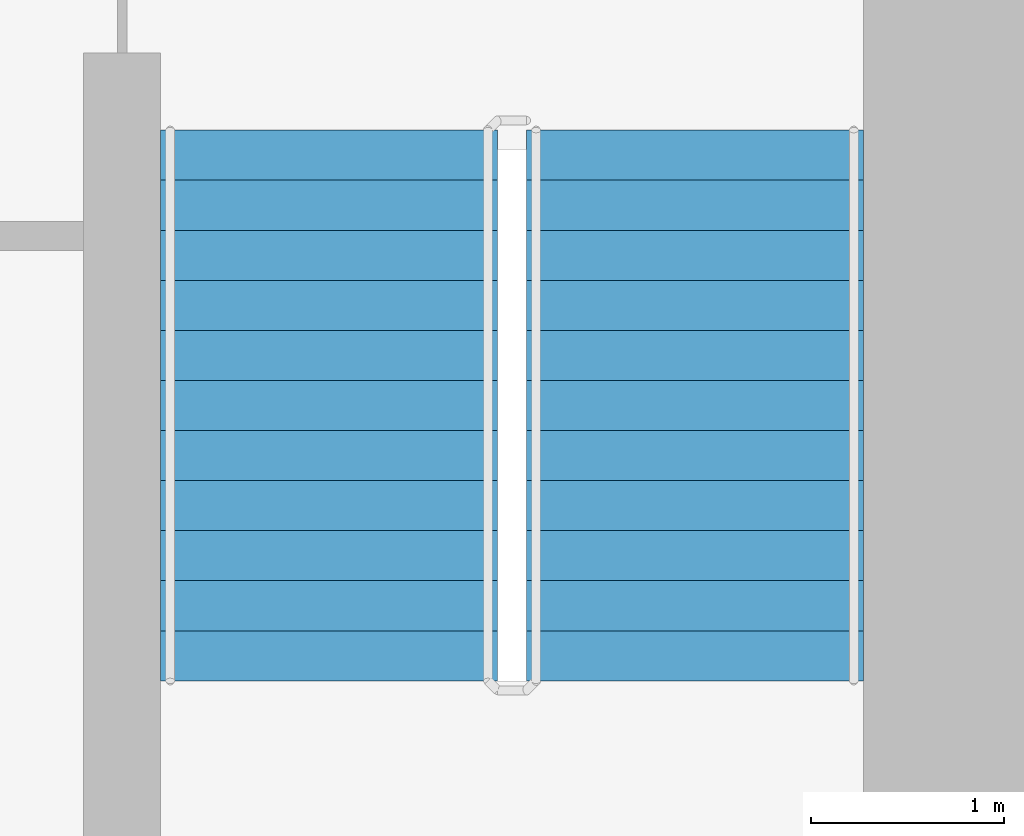
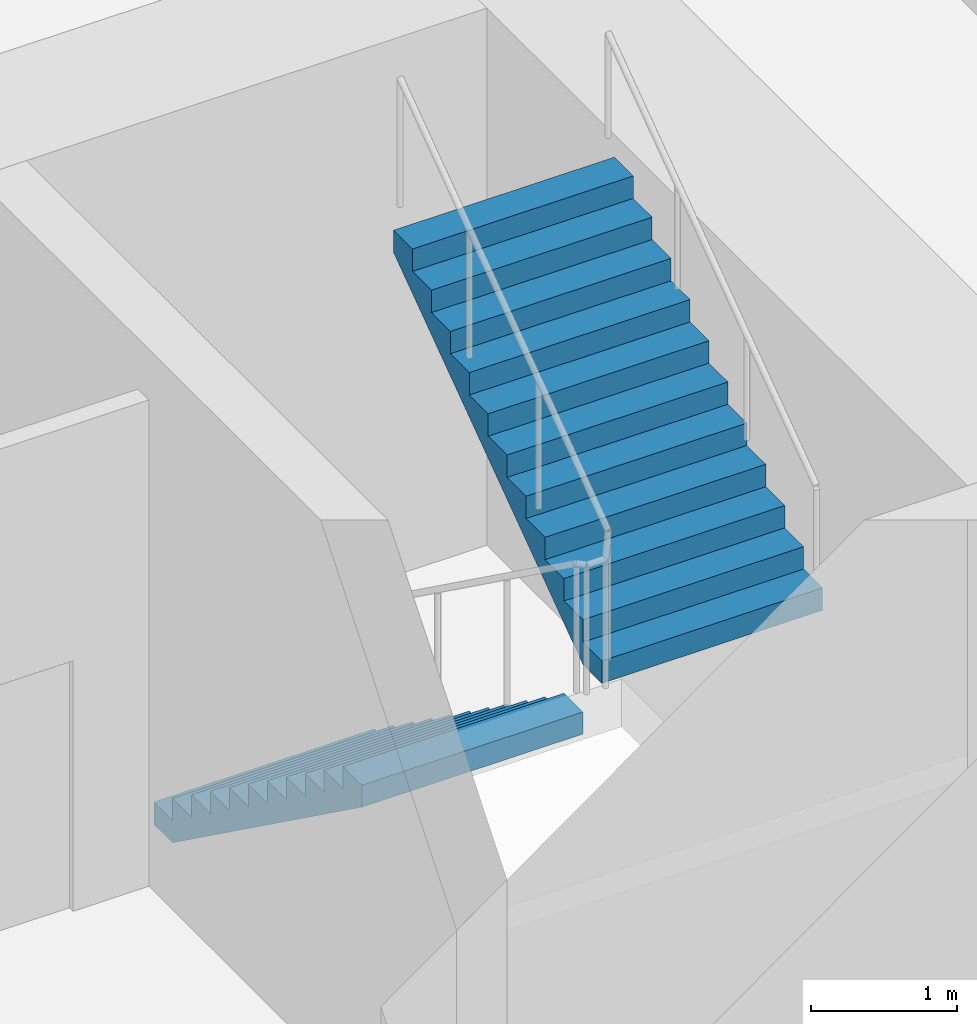
# One storey, part 38 of 49: 2 stair flights, 1 element without a shape of its own.
"""IFC4 building model written with IfcOpenShell, lengths in metres."""

from ifc_helpers import new_model, si_unit, direction, frame, origin, place, context, subcontext, project, spatial, faceted_brep, material, type_object, element, aggregate, save


model = new_model("IFC4")

# Units and contexts
model_context = context("Model", 3, precision=1e-05, world=origin(), true_north=direction((0.0, 1.0)))
body_context = subcontext(model_context, "Body", "Model", "MODEL_VIEW")
ifc_project = project(units=[si_unit("LENGTHUNIT", "METRE"), si_unit("AREAUNIT", "SQUARE_METRE"), si_unit("VOLUMEUNIT", "CUBIC_METRE"), si_unit("PLANEANGLEUNIT", "RADIAN"), si_unit("MASSUNIT", "GRAM", prefix="KILO")], contexts=[model_context])

# Site, building, storey
site_placement = place(None, origin())
site = spatial("IfcSite", under=ifc_project, at=site_placement, CompositionType="ELEMENT")
building_placement = place(site_placement, origin())
building = spatial("IfcBuilding", under=site, at=building_placement, Name="Ipe Terrace Towers", CompositionType="ELEMENT")
storey_placement = place(building_placement, frame((0.0, 0.0, 20.0)))
storey = spatial("IfcBuildingStorey", under=building, at=storey_placement, Name="L04", CompositionType="ELEMENT", Elevation=20.0)

# Stair, stair flights
ifc_material_1 = material(Name="Concrete C30/37", Category="concrete")
stair_type = type_object("IfcStairType", Name="Protected exit stair", PredefinedType="HALF_TURN_STAIR", material=ifc_material_1)
stair_placement = place(storey_placement, origin())
stair = element("IfcStair", 1, at=stair_placement, inside=storey, type_object=stair_type, Name="L04 Exit stair T2-C2", PredefinedType="HALF_TURN_STAIR")
ifc_material_2 = material(Name="Concrete C30/37", Category="concrete")
stair_flight_type = type_object("IfcStairFlightType", Name="Exit stair flight 1750", PredefinedType="STRAIGHT", material=ifc_material_2)
stair_flight_1_placement = place(storey_placement, frame((38.77490234375, -9.699951171875, 0.0), z_axis=(0.0, 0.0, 1.0), x_axis=(0.0, -1.0, 0.0)))
stair_flight_1 = element("IfcStairFlight", 2, at=stair_flight_1_placement, type_object=stair_flight_type, Name="T2-ST2 flight 1", NumberOfRisers=12, NumberOfTreads=11, PredefinedType="STRAIGHT", RiserHeight=0.1875, TreadLength=0.26, context=body_context, shape_type="Brep", body=[
    faceted_brep([(0.25634765625, -0.875, 0.0), (2.860107421875, -0.875, 1.877685546875), (2.860107421875, -0.875, 2.0625), (2.60009765625, -0.875, 2.0625), (2.60009765625, -0.875, 1.875), (2.340087890625, -0.875, 1.875), (2.340087890625, -0.875, 1.6875), (2.080078125, -0.875, 1.6875), (2.080078125, -0.875, 1.5), (1.820068359375, -0.875, 1.5), (1.820068359375, -0.875, 1.3125), (1.56005859375, -0.875, 1.3125), (1.56005859375, -0.875, 1.125), (1.300048828125, -0.875, 1.125), (1.300048828125, -0.875, 0.9375), (1.0400390625, -0.875, 0.9375), (1.0400390625, -0.875, 0.75), (0.780029296875, -0.875, 0.75), (0.780029296875, -0.875, 0.5625), (0.52001953125, -0.875, 0.5625), (0.52001953125, -0.875, 0.375), (0.260009765625, -0.875, 0.375), (0.260009765625, -0.875, 0.1875), (0.0, -0.875, 0.1875), (0.0, -0.875, 0.0), (0.0, 0.875, 0.0), (0.0, 0.875, 0.1875), (0.260009765625, 0.875, 0.1875), (0.260009765625, 0.875, 0.375), (0.52001953125, 0.875, 0.375), (0.52001953125, 0.875, 0.5625), (0.780029296875, 0.875, 0.5625), (0.780029296875, 0.875, 0.75), (1.0400390625, 0.875, 0.75), (1.0400390625, 0.875, 0.9375), (1.300048828125, 0.875, 0.9375), (1.300048828125, 0.875, 1.125), (1.56005859375, 0.875, 1.125), (1.56005859375, 0.875, 1.3125), (1.820068359375, 0.875, 1.3125), (1.820068359375, 0.875, 1.5), (2.080078125, 0.875, 1.5), (2.080078125, 0.875, 1.6875), (2.340087890625, 0.875, 1.6875), (2.340087890625, 0.875, 1.875), (2.60009765625, 0.875, 1.875), (2.60009765625, 0.875, 2.0625), (2.860107421875, 0.875, 2.0625), (2.860107421875, 0.875, 1.877685546875), (0.25634765625, 0.875, 0.0), (0.0, -0.300048828125, 0.1875), (0.0, -0.1201171875, 0.1875), (0.0, -0.06005859375, 0.1875), (0.0, -0.030029296875, 0.1875), (0.0, -0.010009765625, 0.1875), (0.0, 0.0, 0.1875), (0.0, 0.010009765625, 0.1875), (0.0, 0.030029296875, 0.1875), (0.0, 0.06005859375, 0.1875), (0.0, 0.1201171875, 0.1875), (0.0, 0.300048828125, 0.1875), (0.0, 0.300048828125, 0.0), (0.0, 0.1201171875, 0.0), (0.0, 0.06005859375, 0.0), (0.0, 0.030029296875, 0.0), (0.0, 0.010009765625, 0.0), (0.0, 0.0, 0.0), (0.0, -0.010009765625, 0.0), (0.0, -0.030029296875, 0.0), (0.0, -0.06005859375, 0.0), (0.0, -0.1201171875, 0.0), (0.0, -0.300048828125, 0.0), (0.260009765625, -0.300048828125, 0.1875), (0.260009765625, -0.1201171875, 0.1875), (0.260009765625, -0.06005859375, 0.1875), (0.260009765625, -0.030029296875, 0.1875), (0.260009765625, -0.010009765625, 0.1875), (0.260009765625, 0.0, 0.1875), (0.260009765625, 0.010009765625, 0.1875), (0.260009765625, 0.030029296875, 0.1875), (0.260009765625, 0.06005859375, 0.1875), (0.260009765625, 0.1201171875, 0.1875), (0.260009765625, 0.300048828125, 0.1875), (0.260009765625, -0.300048828125, 0.375), (0.260009765625, -0.1201171875, 0.375), (0.260009765625, -0.06005859375, 0.375), (0.260009765625, -0.030029296875, 0.375), (0.260009765625, -0.010009765625, 0.375), (0.260009765625, 0.0, 0.375), (0.260009765625, 0.010009765625, 0.375), (0.260009765625, 0.030029296875, 0.375), (0.260009765625, 0.06005859375, 0.375), (0.260009765625, 0.1201171875, 0.375), (0.260009765625, 0.300048828125, 0.375), (0.52001953125, -0.300048828125, 0.375), (0.52001953125, -0.1201171875, 0.375), (0.52001953125, -0.06005859375, 0.375), (0.52001953125, -0.030029296875, 0.375), (0.52001953125, -0.010009765625, 0.375), (0.52001953125, 0.0, 0.375), (0.52001953125, 0.010009765625, 0.375), (0.52001953125, 0.030029296875, 0.375), (0.52001953125, 0.06005859375, 0.375), (0.52001953125, 0.1201171875, 0.375), (0.52001953125, 0.300048828125, 0.375), (0.52001953125, -0.300048828125, 0.5625), (0.52001953125, -0.1201171875, 0.5625), (0.52001953125, -0.06005859375, 0.5625), (0.52001953125, -0.030029296875, 0.5625), (0.52001953125, -0.010009765625, 0.5625), (0.52001953125, 0.0, 0.5625), (0.52001953125, 0.010009765625, 0.5625), (0.52001953125, 0.030029296875, 0.5625), (0.52001953125, 0.06005859375, 0.5625), (0.52001953125, 0.1201171875, 0.5625), (0.52001953125, 0.300048828125, 0.5625), (0.780029296875, -0.300048828125, 0.5625), (0.780029296875, -0.1201171875, 0.5625), (0.780029296875, -0.06005859375, 0.5625), (0.780029296875, -0.030029296875, 0.5625), (0.780029296875, -0.010009765625, 0.5625), (0.780029296875, 0.0, 0.5625), (0.780029296875, 0.010009765625, 0.5625), (0.780029296875, 0.030029296875, 0.5625), (0.780029296875, 0.06005859375, 0.5625), (0.780029296875, 0.1201171875, 0.5625), (0.780029296875, 0.300048828125, 0.5625), (0.780029296875, -0.300048828125, 0.75), (0.780029296875, -0.1201171875, 0.75), (0.780029296875, -0.06005859375, 0.75), (0.780029296875, -0.030029296875, 0.75), (0.780029296875, -0.010009765625, 0.75), (0.780029296875, 0.0, 0.75), (0.780029296875, 0.010009765625, 0.75), (0.780029296875, 0.030029296875, 0.75), (0.780029296875, 0.06005859375, 0.75), (0.780029296875, 0.1201171875, 0.75), (0.780029296875, 0.300048828125, 0.75), (1.0400390625, -0.300048828125, 0.75), (1.0400390625, -0.1201171875, 0.75), (1.0400390625, -0.06005859375, 0.75), (1.0400390625, -0.030029296875, 0.75), (1.0400390625, -0.010009765625, 0.75), (1.0400390625, 0.0, 0.75), (1.0400390625, 0.010009765625, 0.75), (1.0400390625, 0.030029296875, 0.75), (1.0400390625, 0.06005859375, 0.75), (1.0400390625, 0.1201171875, 0.75), (1.0400390625, 0.300048828125, 0.75), (1.0400390625, -0.300048828125, 0.9375), (1.0400390625, -0.1201171875, 0.9375), (1.0400390625, -0.06005859375, 0.9375), (1.0400390625, -0.030029296875, 0.9375), (1.0400390625, -0.010009765625, 0.9375), (1.0400390625, 0.0, 0.9375), (1.0400390625, 0.010009765625, 0.9375), (1.0400390625, 0.030029296875, 0.9375), (1.0400390625, 0.06005859375, 0.9375), (1.0400390625, 0.1201171875, 0.9375), (1.0400390625, 0.300048828125, 0.9375), (1.300048828125, -0.300048828125, 0.9375), (1.300048828125, -0.1201171875, 0.9375), (1.300048828125, -0.06005859375, 0.9375), (1.300048828125, -0.030029296875, 0.9375), (1.300048828125, -0.010009765625, 0.9375), (1.300048828125, 0.0, 0.9375), (1.300048828125, 0.010009765625, 0.9375), (1.300048828125, 0.030029296875, 0.9375), (1.300048828125, 0.06005859375, 0.9375), (1.300048828125, 0.1201171875, 0.9375), (1.300048828125, 0.300048828125, 0.9375), (1.300048828125, -0.300048828125, 1.125), (1.300048828125, -0.1201171875, 1.125), (1.300048828125, -0.06005859375, 1.125), (1.300048828125, -0.030029296875, 1.125), (1.300048828125, -0.010009765625, 1.125), (1.300048828125, 0.0, 1.125), (1.300048828125, 0.010009765625, 1.125), (1.300048828125, 0.030029296875, 1.125), (1.300048828125, 0.06005859375, 1.125), (1.300048828125, 0.1201171875, 1.125), (1.300048828125, 0.300048828125, 1.125), (1.56005859375, -0.300048828125, 1.125), (1.56005859375, -0.1201171875, 1.125), (1.56005859375, -0.06005859375, 1.125), (1.56005859375, -0.030029296875, 1.125), (1.56005859375, -0.010009765625, 1.125), (1.56005859375, 0.0, 1.125), (1.56005859375, 0.010009765625, 1.125), (1.56005859375, 0.030029296875, 1.125), (1.56005859375, 0.06005859375, 1.125), (1.56005859375, 0.1201171875, 1.125), (1.56005859375, 0.300048828125, 1.125), (1.56005859375, -0.300048828125, 1.3125), (1.56005859375, -0.1201171875, 1.3125), (1.56005859375, -0.06005859375, 1.3125), (1.56005859375, -0.030029296875, 1.3125), (1.56005859375, -0.010009765625, 1.3125), (1.56005859375, 0.0, 1.3125), (1.56005859375, 0.010009765625, 1.3125), (1.56005859375, 0.030029296875, 1.3125), (1.56005859375, 0.06005859375, 1.3125), (1.56005859375, 0.1201171875, 1.3125), (1.56005859375, 0.300048828125, 1.3125), (1.820068359375, -0.300048828125, 1.3125), (1.820068359375, -0.1201171875, 1.3125), (1.820068359375, -0.06005859375, 1.3125), (1.820068359375, -0.030029296875, 1.3125), (1.820068359375, -0.010009765625, 1.3125), (1.820068359375, 0.0, 1.3125), (1.820068359375, 0.010009765625, 1.3125), (1.820068359375, 0.030029296875, 1.3125), (1.820068359375, 0.06005859375, 1.3125), (1.820068359375, 0.1201171875, 1.3125), (1.820068359375, 0.300048828125, 1.3125), (1.820068359375, -0.300048828125, 1.5), (1.820068359375, -0.1201171875, 1.5), (1.820068359375, -0.06005859375, 1.5), (1.820068359375, -0.030029296875, 1.5), (1.820068359375, -0.010009765625, 1.5), (1.820068359375, 0.0, 1.5), (1.820068359375, 0.010009765625, 1.5), (1.820068359375, 0.030029296875, 1.5), (1.820068359375, 0.06005859375, 1.5), (1.820068359375, 0.1201171875, 1.5), (1.820068359375, 0.300048828125, 1.5), (2.080078125, -0.300048828125, 1.5), (2.080078125, -0.1201171875, 1.5), (2.080078125, -0.06005859375, 1.5), (2.080078125, -0.030029296875, 1.5), (2.080078125, -0.010009765625, 1.5), (2.080078125, 0.0, 1.5), (2.080078125, 0.010009765625, 1.5), (2.080078125, 0.030029296875, 1.5), (2.080078125, 0.06005859375, 1.5), (2.080078125, 0.1201171875, 1.5), (2.080078125, 0.300048828125, 1.5), (2.080078125, -0.300048828125, 1.6875), (2.080078125, -0.1201171875, 1.6875), (2.080078125, -0.06005859375, 1.6875), (2.080078125, -0.030029296875, 1.6875), (2.080078125, -0.010009765625, 1.6875), (2.080078125, 0.0, 1.6875), (2.080078125, 0.010009765625, 1.6875), (2.080078125, 0.030029296875, 1.6875), (2.080078125, 0.06005859375, 1.6875), (2.080078125, 0.1201171875, 1.6875), (2.080078125, 0.300048828125, 1.6875), (2.340087890625, -0.300048828125, 1.6875), (2.340087890625, -0.1201171875, 1.6875), (2.340087890625, -0.06005859375, 1.6875), (2.340087890625, -0.030029296875, 1.6875), (2.340087890625, -0.010009765625, 1.6875), (2.340087890625, 0.0, 1.6875), (2.340087890625, 0.010009765625, 1.6875), (2.340087890625, 0.030029296875, 1.6875), (2.340087890625, 0.06005859375, 1.6875), (2.340087890625, 0.1201171875, 1.6875), (2.340087890625, 0.300048828125, 1.6875), (2.340087890625, -0.300048828125, 1.875), (2.340087890625, -0.1201171875, 1.875), (2.340087890625, -0.06005859375, 1.875), (2.340087890625, -0.030029296875, 1.875), (2.340087890625, -0.010009765625, 1.875), (2.340087890625, 0.0, 1.875), (2.340087890625, 0.010009765625, 1.875), (2.340087890625, 0.030029296875, 1.875), (2.340087890625, 0.06005859375, 1.875), (2.340087890625, 0.1201171875, 1.875), (2.340087890625, 0.300048828125, 1.875), (2.60009765625, -0.300048828125, 1.875), (2.60009765625, -0.1201171875, 1.875), (2.60009765625, -0.06005859375, 1.875), (2.60009765625, -0.030029296875, 1.875), (2.60009765625, -0.010009765625, 1.875), (2.60009765625, 0.0, 1.875), (2.60009765625, 0.010009765625, 1.875), (2.60009765625, 0.030029296875, 1.875), (2.60009765625, 0.06005859375, 1.875), (2.60009765625, 0.1201171875, 1.875), (2.60009765625, 0.300048828125, 1.875), (2.60009765625, -0.300048828125, 2.0625), (2.60009765625, -0.1201171875, 2.0625), (2.60009765625, -0.06005859375, 2.0625), (2.60009765625, -0.030029296875, 2.0625), (2.60009765625, -0.010009765625, 2.0625), (2.60009765625, 0.0, 2.0625), (2.60009765625, 0.010009765625, 2.0625), (2.60009765625, 0.030029296875, 2.0625), (2.60009765625, 0.06005859375, 2.0625), (2.60009765625, 0.1201171875, 2.0625), (2.60009765625, 0.300048828125, 2.0625), (2.860107421875, -0.300048828125, 2.0625), (2.860107421875, -0.1201171875, 2.0625), (2.860107421875, -0.06005859375, 2.0625), (2.860107421875, -0.030029296875, 2.0625), (2.860107421875, -0.010009765625, 2.0625), (2.860107421875, 0.0, 2.0625), (2.860107421875, 0.010009765625, 2.0625), (2.860107421875, 0.030029296875, 2.0625), (2.860107421875, 0.06005859375, 2.0625), (2.860107421875, 0.1201171875, 2.0625), (2.860107421875, 0.300048828125, 2.0625), (2.860107421875, -0.300048828125, 1.877685546875), (2.860107421875, -0.1201171875, 1.877685546875), (2.860107421875, -0.06005859375, 1.877685546875), (2.860107421875, -0.030029296875, 1.877685546875), (2.860107421875, -0.010009765625, 1.877685546875), (2.860107421875, 0.0, 1.877685546875), (2.860107421875, 0.010009765625, 1.877685546875), (2.860107421875, 0.030029296875, 1.877685546875), (2.860107421875, 0.06005859375, 1.877685546875), (2.860107421875, 0.1201171875, 1.877685546875), (2.860107421875, 0.300048828125, 1.877685546875), (0.25634765625, -0.300048828125, 0.0), (0.25634765625, -0.1201171875, 0.0), (0.25634765625, -0.06005859375, 0.0), (0.25634765625, -0.030029296875, 0.0), (0.25634765625, -0.010009765625, 0.0), (0.25634765625, 0.0, 0.0), (0.25634765625, 0.010009765625, 0.0), (0.25634765625, 0.030029296875, 0.0), (0.25634765625, 0.06005859375, 0.0), (0.25634765625, 0.1201171875, 0.0), (0.25634765625, 0.300048828125, 0.0)], [[[0, 1, 2, 3, 4, 5, 6, 7, 8, 9, 10, 11, 12, 13, 14, 15, 16, 17, 18, 19, 20, 21, 22, 23, 24]], [[25, 26, 27, 28, 29, 30, 31, 32, 33, 34, 35, 36, 37, 38, 39, 40, 41, 42, 43, 44, 45, 46, 47, 48, 49]], [[23, 50, 51, 52, 53, 54, 55, 56, 57, 58, 59, 60, 26, 25, 61, 62, 63, 64, 65, 66, 67, 68, 69, 70, 71, 24]], [[22, 72, 73, 74, 75, 76, 77, 78, 79, 80, 81, 82, 27, 26, 60, 59, 58, 57, 56, 55, 54, 53, 52, 51, 50, 23]], [[21, 83, 84, 85, 86, 87, 88, 89, 90, 91, 92, 93, 28, 27, 82, 81, 80, 79, 78, 77, 76, 75, 74, 73, 72, 22]], [[20, 94, 95, 96, 97, 98, 99, 100, 101, 102, 103, 104, 29, 28, 93, 92, 91, 90, 89, 88, 87, 86, 85, 84, 83, 21]], [[19, 105, 106, 107, 108, 109, 110, 111, 112, 113, 114, 115, 30, 29, 104, 103, 102, 101, 100, 99, 98, 97, 96, 95, 94, 20]], [[18, 116, 117, 118, 119, 120, 121, 122, 123, 124, 125, 126, 31, 30, 115, 114, 113, 112, 111, 110, 109, 108, 107, 106, 105, 19]], [[17, 127, 128, 129, 130, 131, 132, 133, 134, 135, 136, 137, 32, 31, 126, 125, 124, 123, 122, 121, 120, 119, 118, 117, 116, 18]], [[16, 138, 139, 140, 141, 142, 143, 144, 145, 146, 147, 148, 33, 32, 137, 136, 135, 134, 133, 132, 131, 130, 129, 128, 127, 17]], [[15, 149, 150, 151, 152, 153, 154, 155, 156, 157, 158, 159, 34, 33, 148, 147, 146, 145, 144, 143, 142, 141, 140, 139, 138, 16]], [[14, 160, 161, 162, 163, 164, 165, 166, 167, 168, 169, 170, 35, 34, 159, 158, 157, 156, 155, 154, 153, 152, 151, 150, 149, 15]], [[13, 171, 172, 173, 174, 175, 176, 177, 178, 179, 180, 181, 36, 35, 170, 169, 168, 167, 166, 165, 164, 163, 162, 161, 160, 14]], [[12, 182, 183, 184, 185, 186, 187, 188, 189, 190, 191, 192, 37, 36, 181, 180, 179, 178, 177, 176, 175, 174, 173, 172, 171, 13]], [[11, 193, 194, 195, 196, 197, 198, 199, 200, 201, 202, 203, 38, 37, 192, 191, 190, 189, 188, 187, 186, 185, 184, 183, 182, 12]], [[10, 204, 205, 206, 207, 208, 209, 210, 211, 212, 213, 214, 39, 38, 203, 202, 201, 200, 199, 198, 197, 196, 195, 194, 193, 11]], [[9, 215, 216, 217, 218, 219, 220, 221, 222, 223, 224, 225, 40, 39, 214, 213, 212, 211, 210, 209, 208, 207, 206, 205, 204, 10]], [[8, 226, 227, 228, 229, 230, 231, 232, 233, 234, 235, 236, 41, 40, 225, 224, 223, 222, 221, 220, 219, 218, 217, 216, 215, 9]], [[7, 237, 238, 239, 240, 241, 242, 243, 244, 245, 246, 247, 42, 41, 236, 235, 234, 233, 232, 231, 230, 229, 228, 227, 226, 8]], [[6, 248, 249, 250, 251, 252, 253, 254, 255, 256, 257, 258, 43, 42, 247, 246, 245, 244, 243, 242, 241, 240, 239, 238, 237, 7]], [[5, 259, 260, 261, 262, 263, 264, 265, 266, 267, 268, 269, 44, 43, 258, 257, 256, 255, 254, 253, 252, 251, 250, 249, 248, 6]], [[4, 270, 271, 272, 273, 274, 275, 276, 277, 278, 279, 280, 45, 44, 269, 268, 267, 266, 265, 264, 263, 262, 261, 260, 259, 5]], [[3, 281, 282, 283, 284, 285, 286, 287, 288, 289, 290, 291, 46, 45, 280, 279, 278, 277, 276, 275, 274, 273, 272, 271, 270, 4]], [[2, 292, 293, 294, 295, 296, 297, 298, 299, 300, 301, 302, 47, 46, 291, 290, 289, 288, 287, 286, 285, 284, 283, 282, 281, 3]], [[1, 303, 304, 305, 306, 307, 308, 309, 310, 311, 312, 313, 48, 47, 302, 301, 300, 299, 298, 297, 296, 295, 294, 293, 292, 2]], [[0, 314, 315, 316, 317, 318, 319, 320, 321, 322, 323, 324, 49, 48, 313, 312, 311, 310, 309, 308, 307, 306, 305, 304, 303, 1]], [[24, 71, 70, 69, 68, 67, 66, 65, 64, 63, 62, 61, 25, 49, 324, 323, 322, 321, 320, 319, 318, 317, 316, 315, 314, 0]]]),
])
stair_flight_2_placement = place(storey_placement, frame((40.675048828125, -12.56005859375, 2.25), z_axis=(0.0, 0.0, 1.0), x_axis=(0.0, 1.0, 0.0)))
stair_flight_2 = element("IfcStairFlight", 3, at=stair_flight_2_placement, type_object=stair_flight_type, Name="T2-ST2 flight 2", NumberOfRisers=12, NumberOfTreads=11, PredefinedType="STRAIGHT", RiserHeight=0.1875, TreadLength=0.26, context=body_context, shape_type="Brep", body=[
    faceted_brep([(0.25634765625, -0.875, 0.0), (2.860107421875, -0.875, 1.877685546875), (2.860107421875, -0.875, 2.0625), (2.60009765625, -0.875, 2.0625), (2.60009765625, -0.875, 1.875), (2.340087890625, -0.875, 1.875), (2.340087890625, -0.875, 1.6875), (2.080078125, -0.875, 1.6875), (2.080078125, -0.875, 1.5), (1.820068359375, -0.875, 1.5), (1.820068359375, -0.875, 1.3125), (1.56005859375, -0.875, 1.3125), (1.56005859375, -0.875, 1.125), (1.300048828125, -0.875, 1.125), (1.300048828125, -0.875, 0.9375), (1.0400390625, -0.875, 0.9375), (1.0400390625, -0.875, 0.75), (0.780029296875, -0.875, 0.75), (0.780029296875, -0.875, 0.5625), (0.52001953125, -0.875, 0.5625), (0.52001953125, -0.875, 0.375), (0.260009765625, -0.875, 0.375), (0.260009765625, -0.875, 0.1875), (0.0, -0.875, 0.1875), (0.0, -0.875, 0.0), (0.0, 0.875, 0.0), (0.0, 0.875, 0.1875), (0.260009765625, 0.875, 0.1875), (0.260009765625, 0.875, 0.375), (0.52001953125, 0.875, 0.375), (0.52001953125, 0.875, 0.5625), (0.780029296875, 0.875, 0.5625), (0.780029296875, 0.875, 0.75), (1.0400390625, 0.875, 0.75), (1.0400390625, 0.875, 0.9375), (1.300048828125, 0.875, 0.9375), (1.300048828125, 0.875, 1.125), (1.56005859375, 0.875, 1.125), (1.56005859375, 0.875, 1.3125), (1.820068359375, 0.875, 1.3125), (1.820068359375, 0.875, 1.5), (2.080078125, 0.875, 1.5), (2.080078125, 0.875, 1.6875), (2.340087890625, 0.875, 1.6875), (2.340087890625, 0.875, 1.875), (2.60009765625, 0.875, 1.875), (2.60009765625, 0.875, 2.0625), (2.860107421875, 0.875, 2.0625), (2.860107421875, 0.875, 1.877685546875), (0.25634765625, 0.875, 0.0), (0.0, -0.300048828125, 0.1875), (0.0, -0.1201171875, 0.1875), (0.0, -0.06005859375, 0.1875), (0.0, -0.030029296875, 0.1875), (0.0, -0.010009765625, 0.1875), (0.0, 0.0, 0.1875), (0.0, 0.010009765625, 0.1875), (0.0, 0.030029296875, 0.1875), (0.0, 0.06005859375, 0.1875), (0.0, 0.1201171875, 0.1875), (0.0, 0.300048828125, 0.1875), (0.0, 0.300048828125, 0.0), (0.0, 0.1201171875, 0.0), (0.0, 0.06005859375, 0.0), (0.0, 0.030029296875, 0.0), (0.0, 0.010009765625, 0.0), (0.0, 0.0, 0.0), (0.0, -0.010009765625, 0.0), (0.0, -0.030029296875, 0.0), (0.0, -0.06005859375, 0.0), (0.0, -0.1201171875, 0.0), (0.0, -0.300048828125, 0.0), (0.260009765625, -0.300048828125, 0.1875), (0.260009765625, -0.1201171875, 0.1875), (0.260009765625, -0.06005859375, 0.1875), (0.260009765625, -0.030029296875, 0.1875), (0.260009765625, -0.010009765625, 0.1875), (0.260009765625, 0.0, 0.1875), (0.260009765625, 0.010009765625, 0.1875), (0.260009765625, 0.030029296875, 0.1875), (0.260009765625, 0.06005859375, 0.1875), (0.260009765625, 0.1201171875, 0.1875), (0.260009765625, 0.300048828125, 0.1875), (0.260009765625, -0.300048828125, 0.375), (0.260009765625, -0.1201171875, 0.375), (0.260009765625, -0.06005859375, 0.375), (0.260009765625, -0.030029296875, 0.375), (0.260009765625, -0.010009765625, 0.375), (0.260009765625, 0.0, 0.375), (0.260009765625, 0.010009765625, 0.375), (0.260009765625, 0.030029296875, 0.375), (0.260009765625, 0.06005859375, 0.375), (0.260009765625, 0.1201171875, 0.375), (0.260009765625, 0.300048828125, 0.375), (0.52001953125, -0.300048828125, 0.375), (0.52001953125, -0.1201171875, 0.375), (0.52001953125, -0.06005859375, 0.375), (0.52001953125, -0.030029296875, 0.375), (0.52001953125, -0.010009765625, 0.375), (0.52001953125, 0.0, 0.375), (0.52001953125, 0.010009765625, 0.375), (0.52001953125, 0.030029296875, 0.375), (0.52001953125, 0.06005859375, 0.375), (0.52001953125, 0.1201171875, 0.375), (0.52001953125, 0.300048828125, 0.375), (0.52001953125, -0.300048828125, 0.5625), (0.52001953125, -0.1201171875, 0.5625), (0.52001953125, -0.06005859375, 0.5625), (0.52001953125, -0.030029296875, 0.5625), (0.52001953125, -0.010009765625, 0.5625), (0.52001953125, 0.0, 0.5625), (0.52001953125, 0.010009765625, 0.5625), (0.52001953125, 0.030029296875, 0.5625), (0.52001953125, 0.06005859375, 0.5625), (0.52001953125, 0.1201171875, 0.5625), (0.52001953125, 0.300048828125, 0.5625), (0.780029296875, -0.300048828125, 0.5625), (0.780029296875, -0.1201171875, 0.5625), (0.780029296875, -0.06005859375, 0.5625), (0.780029296875, -0.030029296875, 0.5625), (0.780029296875, -0.010009765625, 0.5625), (0.780029296875, 0.0, 0.5625), (0.780029296875, 0.010009765625, 0.5625), (0.780029296875, 0.030029296875, 0.5625), (0.780029296875, 0.06005859375, 0.5625), (0.780029296875, 0.1201171875, 0.5625), (0.780029296875, 0.300048828125, 0.5625), (0.780029296875, -0.300048828125, 0.75), (0.780029296875, -0.1201171875, 0.75), (0.780029296875, -0.06005859375, 0.75), (0.780029296875, -0.030029296875, 0.75), (0.780029296875, -0.010009765625, 0.75), (0.780029296875, 0.0, 0.75), (0.780029296875, 0.010009765625, 0.75), (0.780029296875, 0.030029296875, 0.75), (0.780029296875, 0.06005859375, 0.75), (0.780029296875, 0.1201171875, 0.75), (0.780029296875, 0.300048828125, 0.75), (1.0400390625, -0.300048828125, 0.75), (1.0400390625, -0.1201171875, 0.75), (1.0400390625, -0.06005859375, 0.75), (1.0400390625, -0.030029296875, 0.75), (1.0400390625, -0.010009765625, 0.75), (1.0400390625, 0.0, 0.75), (1.0400390625, 0.010009765625, 0.75), (1.0400390625, 0.030029296875, 0.75), (1.0400390625, 0.06005859375, 0.75), (1.0400390625, 0.1201171875, 0.75), (1.0400390625, 0.300048828125, 0.75), (1.0400390625, -0.300048828125, 0.9375), (1.0400390625, -0.1201171875, 0.9375), (1.0400390625, -0.06005859375, 0.9375), (1.0400390625, -0.030029296875, 0.9375), (1.0400390625, -0.010009765625, 0.9375), (1.0400390625, 0.0, 0.9375), (1.0400390625, 0.010009765625, 0.9375), (1.0400390625, 0.030029296875, 0.9375), (1.0400390625, 0.06005859375, 0.9375), (1.0400390625, 0.1201171875, 0.9375), (1.0400390625, 0.300048828125, 0.9375), (1.300048828125, -0.300048828125, 0.9375), (1.300048828125, -0.1201171875, 0.9375), (1.300048828125, -0.06005859375, 0.9375), (1.300048828125, -0.030029296875, 0.9375), (1.300048828125, -0.010009765625, 0.9375), (1.300048828125, 0.0, 0.9375), (1.300048828125, 0.010009765625, 0.9375), (1.300048828125, 0.030029296875, 0.9375), (1.300048828125, 0.06005859375, 0.9375), (1.300048828125, 0.1201171875, 0.9375), (1.300048828125, 0.300048828125, 0.9375), (1.300048828125, -0.300048828125, 1.125), (1.300048828125, -0.1201171875, 1.125), (1.300048828125, -0.06005859375, 1.125), (1.300048828125, -0.030029296875, 1.125), (1.300048828125, -0.010009765625, 1.125), (1.300048828125, 0.0, 1.125), (1.300048828125, 0.010009765625, 1.125), (1.300048828125, 0.030029296875, 1.125), (1.300048828125, 0.06005859375, 1.125), (1.300048828125, 0.1201171875, 1.125), (1.300048828125, 0.300048828125, 1.125), (1.56005859375, -0.300048828125, 1.125), (1.56005859375, -0.1201171875, 1.125), (1.56005859375, -0.06005859375, 1.125), (1.56005859375, -0.030029296875, 1.125), (1.56005859375, -0.010009765625, 1.125), (1.56005859375, 0.0, 1.125), (1.56005859375, 0.010009765625, 1.125), (1.56005859375, 0.030029296875, 1.125), (1.56005859375, 0.06005859375, 1.125), (1.56005859375, 0.1201171875, 1.125), (1.56005859375, 0.300048828125, 1.125), (1.56005859375, -0.300048828125, 1.3125), (1.56005859375, -0.1201171875, 1.3125), (1.56005859375, -0.06005859375, 1.3125), (1.56005859375, -0.030029296875, 1.3125), (1.56005859375, -0.010009765625, 1.3125), (1.56005859375, 0.0, 1.3125), (1.56005859375, 0.010009765625, 1.3125), (1.56005859375, 0.030029296875, 1.3125), (1.56005859375, 0.06005859375, 1.3125), (1.56005859375, 0.1201171875, 1.3125), (1.56005859375, 0.300048828125, 1.3125), (1.820068359375, -0.300048828125, 1.3125), (1.820068359375, -0.1201171875, 1.3125), (1.820068359375, -0.06005859375, 1.3125), (1.820068359375, -0.030029296875, 1.3125), (1.820068359375, -0.010009765625, 1.3125), (1.820068359375, 0.0, 1.3125), (1.820068359375, 0.010009765625, 1.3125), (1.820068359375, 0.030029296875, 1.3125), (1.820068359375, 0.06005859375, 1.3125), (1.820068359375, 0.1201171875, 1.3125), (1.820068359375, 0.300048828125, 1.3125), (1.820068359375, -0.300048828125, 1.5), (1.820068359375, -0.1201171875, 1.5), (1.820068359375, -0.06005859375, 1.5), (1.820068359375, -0.030029296875, 1.5), (1.820068359375, -0.010009765625, 1.5), (1.820068359375, 0.0, 1.5), (1.820068359375, 0.010009765625, 1.5), (1.820068359375, 0.030029296875, 1.5), (1.820068359375, 0.06005859375, 1.5), (1.820068359375, 0.1201171875, 1.5), (1.820068359375, 0.300048828125, 1.5), (2.080078125, -0.300048828125, 1.5), (2.080078125, -0.1201171875, 1.5), (2.080078125, -0.06005859375, 1.5), (2.080078125, -0.030029296875, 1.5), (2.080078125, -0.010009765625, 1.5), (2.080078125, 0.0, 1.5), (2.080078125, 0.010009765625, 1.5), (2.080078125, 0.030029296875, 1.5), (2.080078125, 0.06005859375, 1.5), (2.080078125, 0.1201171875, 1.5), (2.080078125, 0.300048828125, 1.5), (2.080078125, -0.300048828125, 1.6875), (2.080078125, -0.1201171875, 1.6875), (2.080078125, -0.06005859375, 1.6875), (2.080078125, -0.030029296875, 1.6875), (2.080078125, -0.010009765625, 1.6875), (2.080078125, 0.0, 1.6875), (2.080078125, 0.010009765625, 1.6875), (2.080078125, 0.030029296875, 1.6875), (2.080078125, 0.06005859375, 1.6875), (2.080078125, 0.1201171875, 1.6875), (2.080078125, 0.300048828125, 1.6875), (2.340087890625, -0.300048828125, 1.6875), (2.340087890625, -0.1201171875, 1.6875), (2.340087890625, -0.06005859375, 1.6875), (2.340087890625, -0.030029296875, 1.6875), (2.340087890625, -0.010009765625, 1.6875), (2.340087890625, 0.0, 1.6875), (2.340087890625, 0.010009765625, 1.6875), (2.340087890625, 0.030029296875, 1.6875), (2.340087890625, 0.06005859375, 1.6875), (2.340087890625, 0.1201171875, 1.6875), (2.340087890625, 0.300048828125, 1.6875), (2.340087890625, -0.300048828125, 1.875), (2.340087890625, -0.1201171875, 1.875), (2.340087890625, -0.06005859375, 1.875), (2.340087890625, -0.030029296875, 1.875), (2.340087890625, -0.010009765625, 1.875), (2.340087890625, 0.0, 1.875), (2.340087890625, 0.010009765625, 1.875), (2.340087890625, 0.030029296875, 1.875), (2.340087890625, 0.06005859375, 1.875), (2.340087890625, 0.1201171875, 1.875), (2.340087890625, 0.300048828125, 1.875), (2.60009765625, -0.300048828125, 1.875), (2.60009765625, -0.1201171875, 1.875), (2.60009765625, -0.06005859375, 1.875), (2.60009765625, -0.030029296875, 1.875), (2.60009765625, -0.010009765625, 1.875), (2.60009765625, 0.0, 1.875), (2.60009765625, 0.010009765625, 1.875), (2.60009765625, 0.030029296875, 1.875), (2.60009765625, 0.06005859375, 1.875), (2.60009765625, 0.1201171875, 1.875), (2.60009765625, 0.300048828125, 1.875), (2.60009765625, -0.300048828125, 2.0625), (2.60009765625, -0.1201171875, 2.0625), (2.60009765625, -0.06005859375, 2.0625), (2.60009765625, -0.030029296875, 2.0625), (2.60009765625, -0.010009765625, 2.0625), (2.60009765625, 0.0, 2.0625), (2.60009765625, 0.010009765625, 2.0625), (2.60009765625, 0.030029296875, 2.0625), (2.60009765625, 0.06005859375, 2.0625), (2.60009765625, 0.1201171875, 2.0625), (2.60009765625, 0.300048828125, 2.0625), (2.860107421875, -0.300048828125, 2.0625), (2.860107421875, -0.1201171875, 2.0625), (2.860107421875, -0.06005859375, 2.0625), (2.860107421875, -0.030029296875, 2.0625), (2.860107421875, -0.010009765625, 2.0625), (2.860107421875, 0.0, 2.0625), (2.860107421875, 0.010009765625, 2.0625), (2.860107421875, 0.030029296875, 2.0625), (2.860107421875, 0.06005859375, 2.0625), (2.860107421875, 0.1201171875, 2.0625), (2.860107421875, 0.300048828125, 2.0625), (2.860107421875, -0.300048828125, 1.877685546875), (2.860107421875, -0.1201171875, 1.877685546875), (2.860107421875, -0.06005859375, 1.877685546875), (2.860107421875, -0.030029296875, 1.877685546875), (2.860107421875, -0.010009765625, 1.877685546875), (2.860107421875, 0.0, 1.877685546875), (2.860107421875, 0.010009765625, 1.877685546875), (2.860107421875, 0.030029296875, 1.877685546875), (2.860107421875, 0.06005859375, 1.877685546875), (2.860107421875, 0.1201171875, 1.877685546875), (2.860107421875, 0.300048828125, 1.877685546875), (0.25634765625, -0.300048828125, 0.0), (0.25634765625, -0.1201171875, 0.0), (0.25634765625, -0.06005859375, 0.0), (0.25634765625, -0.030029296875, 0.0), (0.25634765625, -0.010009765625, 0.0), (0.25634765625, 0.0, 0.0), (0.25634765625, 0.010009765625, 0.0), (0.25634765625, 0.030029296875, 0.0), (0.25634765625, 0.06005859375, 0.0), (0.25634765625, 0.1201171875, 0.0), (0.25634765625, 0.300048828125, 0.0)], [[[0, 1, 2, 3, 4, 5, 6, 7, 8, 9, 10, 11, 12, 13, 14, 15, 16, 17, 18, 19, 20, 21, 22, 23, 24]], [[25, 26, 27, 28, 29, 30, 31, 32, 33, 34, 35, 36, 37, 38, 39, 40, 41, 42, 43, 44, 45, 46, 47, 48, 49]], [[23, 50, 51, 52, 53, 54, 55, 56, 57, 58, 59, 60, 26, 25, 61, 62, 63, 64, 65, 66, 67, 68, 69, 70, 71, 24]], [[22, 72, 73, 74, 75, 76, 77, 78, 79, 80, 81, 82, 27, 26, 60, 59, 58, 57, 56, 55, 54, 53, 52, 51, 50, 23]], [[21, 83, 84, 85, 86, 87, 88, 89, 90, 91, 92, 93, 28, 27, 82, 81, 80, 79, 78, 77, 76, 75, 74, 73, 72, 22]], [[20, 94, 95, 96, 97, 98, 99, 100, 101, 102, 103, 104, 29, 28, 93, 92, 91, 90, 89, 88, 87, 86, 85, 84, 83, 21]], [[19, 105, 106, 107, 108, 109, 110, 111, 112, 113, 114, 115, 30, 29, 104, 103, 102, 101, 100, 99, 98, 97, 96, 95, 94, 20]], [[18, 116, 117, 118, 119, 120, 121, 122, 123, 124, 125, 126, 31, 30, 115, 114, 113, 112, 111, 110, 109, 108, 107, 106, 105, 19]], [[17, 127, 128, 129, 130, 131, 132, 133, 134, 135, 136, 137, 32, 31, 126, 125, 124, 123, 122, 121, 120, 119, 118, 117, 116, 18]], [[16, 138, 139, 140, 141, 142, 143, 144, 145, 146, 147, 148, 33, 32, 137, 136, 135, 134, 133, 132, 131, 130, 129, 128, 127, 17]], [[15, 149, 150, 151, 152, 153, 154, 155, 156, 157, 158, 159, 34, 33, 148, 147, 146, 145, 144, 143, 142, 141, 140, 139, 138, 16]], [[14, 160, 161, 162, 163, 164, 165, 166, 167, 168, 169, 170, 35, 34, 159, 158, 157, 156, 155, 154, 153, 152, 151, 150, 149, 15]], [[13, 171, 172, 173, 174, 175, 176, 177, 178, 179, 180, 181, 36, 35, 170, 169, 168, 167, 166, 165, 164, 163, 162, 161, 160, 14]], [[12, 182, 183, 184, 185, 186, 187, 188, 189, 190, 191, 192, 37, 36, 181, 180, 179, 178, 177, 176, 175, 174, 173, 172, 171, 13]], [[11, 193, 194, 195, 196, 197, 198, 199, 200, 201, 202, 203, 38, 37, 192, 191, 190, 189, 188, 187, 186, 185, 184, 183, 182, 12]], [[10, 204, 205, 206, 207, 208, 209, 210, 211, 212, 213, 214, 39, 38, 203, 202, 201, 200, 199, 198, 197, 196, 195, 194, 193, 11]], [[9, 215, 216, 217, 218, 219, 220, 221, 222, 223, 224, 225, 40, 39, 214, 213, 212, 211, 210, 209, 208, 207, 206, 205, 204, 10]], [[8, 226, 227, 228, 229, 230, 231, 232, 233, 234, 235, 236, 41, 40, 225, 224, 223, 222, 221, 220, 219, 218, 217, 216, 215, 9]], [[7, 237, 238, 239, 240, 241, 242, 243, 244, 245, 246, 247, 42, 41, 236, 235, 234, 233, 232, 231, 230, 229, 228, 227, 226, 8]], [[6, 248, 249, 250, 251, 252, 253, 254, 255, 256, 257, 258, 43, 42, 247, 246, 245, 244, 243, 242, 241, 240, 239, 238, 237, 7]], [[5, 259, 260, 261, 262, 263, 264, 265, 266, 267, 268, 269, 44, 43, 258, 257, 256, 255, 254, 253, 252, 251, 250, 249, 248, 6]], [[4, 270, 271, 272, 273, 274, 275, 276, 277, 278, 279, 280, 45, 44, 269, 268, 267, 266, 265, 264, 263, 262, 261, 260, 259, 5]], [[3, 281, 282, 283, 284, 285, 286, 287, 288, 289, 290, 291, 46, 45, 280, 279, 278, 277, 276, 275, 274, 273, 272, 271, 270, 4]], [[2, 292, 293, 294, 295, 296, 297, 298, 299, 300, 301, 302, 47, 46, 291, 290, 289, 288, 287, 286, 285, 284, 283, 282, 281, 3]], [[1, 303, 304, 305, 306, 307, 308, 309, 310, 311, 312, 313, 48, 47, 302, 301, 300, 299, 298, 297, 296, 295, 294, 293, 292, 2]], [[0, 314, 315, 316, 317, 318, 319, 320, 321, 322, 323, 324, 49, 48, 313, 312, 311, 310, 309, 308, 307, 306, 305, 304, 303, 1]], [[24, 71, 70, 69, 68, 67, 66, 65, 64, 63, 62, 61, 25, 49, 324, 323, 322, 321, 320, 319, 318, 317, 316, 315, 314, 0]]]),
])
aggregate(stair, [stair_flight_1, stair_flight_2])

save(model, "model.ifc")
